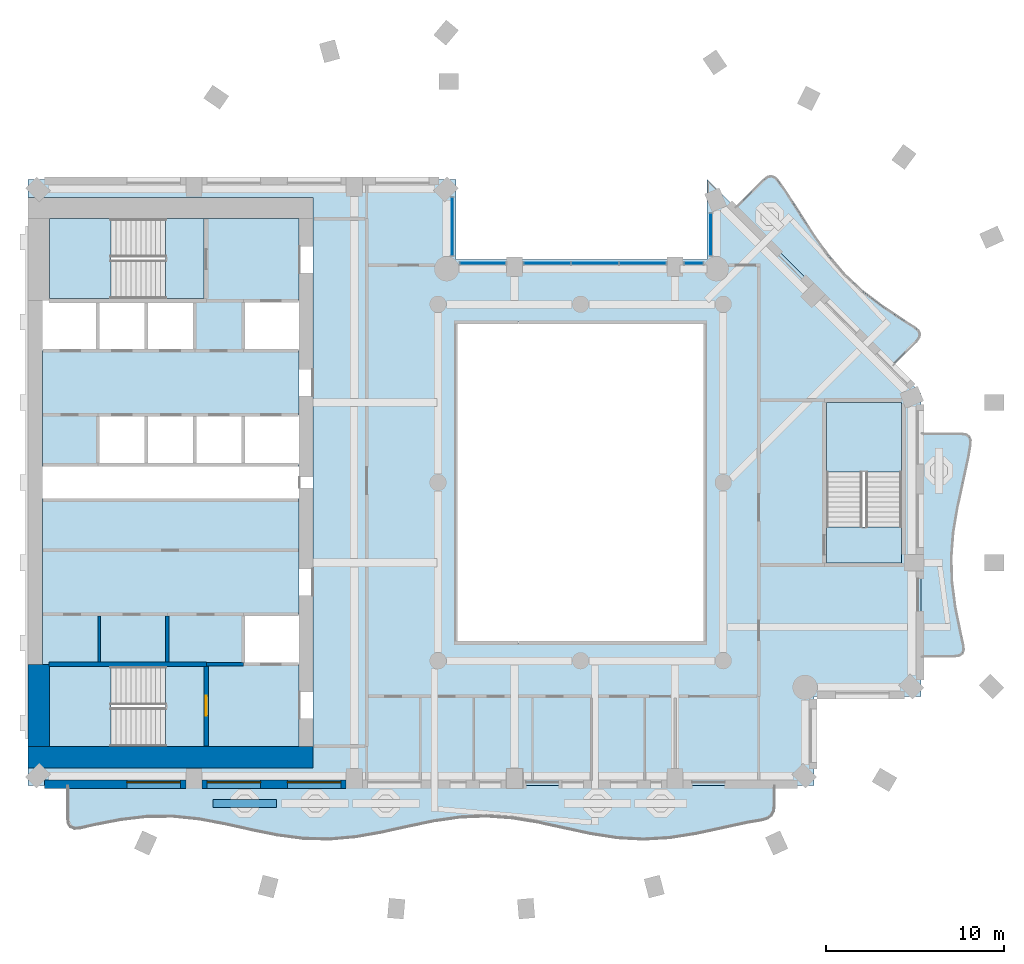
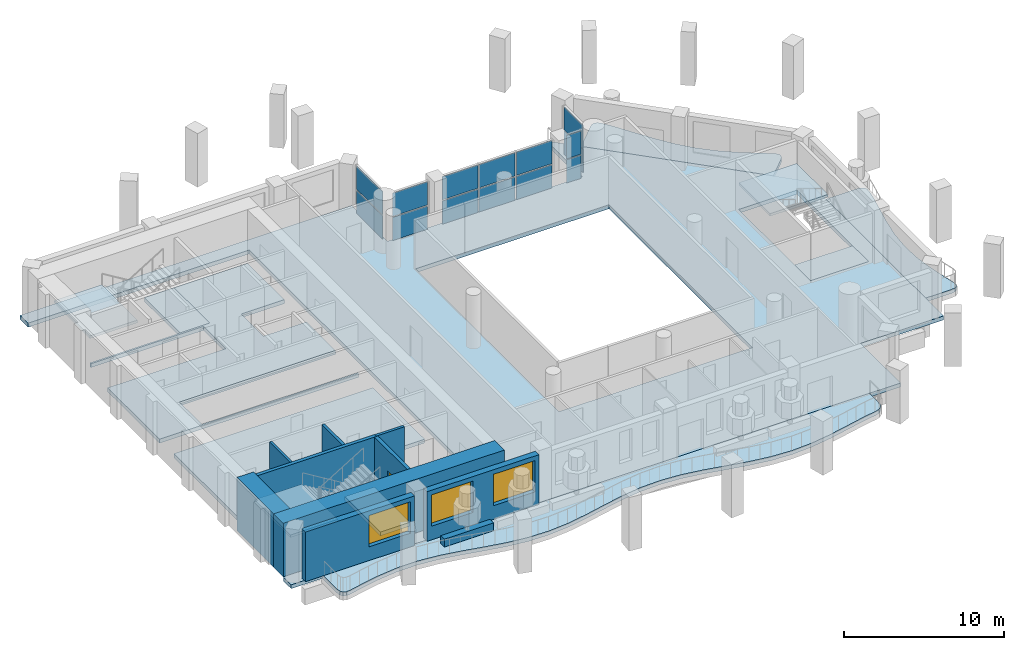
# One storey, part 3 of 15: 14 plates, 12 slabs, 10 walls, 3 windows, 1 door, 4 openings, 8 elements without a shape of their own.
"""IFC4 building model written with IfcOpenShell, lengths in metres."""

from ifc_helpers import new_model, si_unit, direction, frame, frame_2d, origin, origin_2d, place, context, subcontext, project, spatial, polyline, rectangle, outline, extrude, material, layer, layer_set, type_object, element, fill, aggregate, save


model = new_model("IFC4")

# Units and contexts
model_context = context("Model", 3, precision=1e-05, world=origin(), true_north=direction((0.0, 1.0)))
body_context = subcontext(model_context, "Body", "Model", "MODEL_VIEW")
ifc_project = project(units=[si_unit("LENGTHUNIT", "METRE"), si_unit("AREAUNIT", "SQUARE_METRE"), si_unit("VOLUMEUNIT", "CUBIC_METRE"), si_unit("PLANEANGLEUNIT", "RADIAN"), si_unit("MASSUNIT", "GRAM", prefix="KILO")], contexts=[model_context])

# Site, building, storey
site_placement = place(None, origin())
site = spatial("IfcSite", under=ifc_project, at=site_placement, CompositionType="ELEMENT")
building_placement = place(site_placement, origin())
building = spatial("IfcBuilding", under=site, at=building_placement, Name="Cypress Arch Tower", CompositionType="ELEMENT")
storey_placement = place(building_placement, frame((0.0, 0.0, 176.89990234375)))
storey = spatial("IfcBuildingStorey", under=building, at=storey_placement, Name="L38", CompositionType="ELEMENT", Elevation=176.89990234375)

# Slabs
ifc_material_1 = material(Name="Concrete C40/50", Category="concrete")
ifc_layer_1 = layer(ifc_material_1, 0.300048828125)
ifc_layer_set_1 = layer_set([ifc_layer_1], Name="Balcony slab BS300")
slab_type_1 = type_object("IfcSlabType", Name="Balcony slab BS300", PredefinedType="USERDEFINED", material=ifc_layer_set_1)
slab_1_placement = place(storey_placement, frame((0.0, 0.0, -0.2998046875)))
element("IfcSlab", 1, at=slab_1_placement, inside=storey, type_object=slab_type_1, Name="Balcony slab L38-B01", ObjectType="BALCONY SLAB", PredefinedType="USERDEFINED", context=body_context, shape_type="SweptSolid", body=[
    extrude(outline(polyline([(-27.75, -17.0), (-27.75, -18.83642578125), (-27.708740234375, -19.123046875), (-27.5849609375, -19.306640625), (-27.378662109375, -19.38720703125), (-27.090087890625, -19.36474609375), (-26.283447265625, -19.18359375), (-24.816650390625, -18.895751953125), (-23.35009765625, -18.722900390625), (-21.88330078125, -18.70947265625), (-20.416748046875, -18.859130859375), (-18.949951171875, -19.133056640625), (-17.4833984375, -19.461181640625), (-16.0166015625, -19.759521484375), (-14.550048828125, -19.951416015625), (-13.083251953125, -19.98779296875), (-11.61669921875, -19.859130859375), (-10.14990234375, -19.5986328125), (-8.683349609375, -19.27294921875), (-7.216552734375, -18.965576171875), (-5.75, -18.75537109375), (-4.283447265625, -18.696533203125), (-2.816650390625, -18.8037109375), (-1.35009765625, -19.049560546875), (0.11669921875, -19.37109375), (1.583251953125, -19.685791015625), (3.050048828125, -19.9130859375), (4.5166015625, -19.99462890625), (5.9833984375, -19.909423828125), (7.449951171875, -19.679443359375), (8.916748046875, -19.363525390625), (10.38330078125, -19.042724609375), (11.18994140625, -18.908935546875), (11.478759765625, -18.8193359375), (11.68505859375, -18.65966796875), (11.808837890625, -18.429931640625), (11.85009765625, -18.13037109375), (11.85009765625, -17.0), (-27.75, -17.0)])), origin(), (0.0, 0.0, 1.0), 0.2998046875),
])
slab_2_placement = place(storey_placement, frame((0.0, 0.0, -0.2998046875)))
element("IfcSlab", 2, at=slab_2_placement, inside=storey, type_object=slab_type_1, Name="Balcony slab L38-B04", ObjectType="BALCONY SLAB", PredefinedType="USERDEFINED", context=body_context, shape_type="SweptSolid", body=[
    extrude(outline(polyline([(20.10009765625, -9.75), (21.97216796875, -9.75), (22.24365234375, -9.7109375), (22.41748046875, -9.59375), (22.493896484375, -9.3984375), (22.472412109375, -9.125), (22.30078125, -8.361083984375), (22.02197265625, -6.97216796875), (21.840576171875, -5.583251953125), (21.79833984375, -4.1943359375), (21.905029296875, -2.8056640625), (22.135986328125, -1.416748046875), (22.438232421875, -0.02783203125), (22.741943359375, 1.361083984375), (22.871337890625, 2.125), (22.8779296875, 2.3984375), (22.7919921875, 2.59375), (22.61376953125, 2.7109375), (22.343017578125, 2.75), (20.10009765625, 2.75), (20.10009765625, -9.75)])), origin(), (0.0, 0.0, 1.0), 0.2998046875),
])
slab_3_placement = place(storey_placement, frame((0.0, 0.0, -0.2998046875)))
element("IfcSlab", 3, at=slab_3_placement, inside=storey, type_object=slab_type_1, Name="Balcony slab L38-B05", ObjectType="BALCONY SLAB", PredefinedType="USERDEFINED", context=body_context, shape_type="SweptSolid", body=[
    extrude(outline(polyline([(18.509033203125, 6.591064453125), (19.833984375, 7.916015625), (19.997802734375, 8.135009765625), (20.037841796875, 8.34033203125), (19.953857421875, 8.531982421875), (19.745849609375, 8.709716796875), (19.0859375, 9.12744140625), (17.9091796875, 9.910400390625), (16.801025390625, 10.76171875), (15.79052734375, 11.710693359375), (14.885009765625, 12.7646484375), (14.0673828125, 13.90673828125), (13.30029296875, 15.09912109375), (12.53515625, 16.293701171875), (12.08837890625, 16.924560546875), (11.900390625, 17.122314453125), (11.7021484375, 17.19970703125), (11.493896484375, 17.15673828125), (11.275390625, 16.993408203125), (9.69091796875, 15.408935546875), (18.509033203125, 6.591064453125)])), origin(), (0.0, 0.0, 1.0), 0.2998046875),
])
ifc_material_2 = material(Name="Concrete C40/50", Category="concrete")
ifc_layer_2 = layer(ifc_material_2, 0.300048828125)
ifc_layer_set_2 = layer_set([ifc_layer_2], Name="Core floor CF300")
slab_type_2 = type_object("IfcSlabType", Name="Core floor CF300", PredefinedType="FLOOR", material=ifc_layer_set_2)
slab_4_placement = place(storey_placement, frame((0.0, 0.0, -0.2998046875)))
element("IfcSlab", 4, at=slab_4_placement, inside=storey, type_object=slab_type_2, Name="Core floor", PredefinedType="FLOOR", context=body_context, shape_type="SweptSolid", body=[
    extrude(outline(polyline([(-28.800048828125, -10.199951171875), (-29.199951171875, -10.199951171875), (-29.199951171875, -0.89990234375), (-15.199951171875, -0.89990234375), (-14.800048828125, -0.89990234375), (-14.800048828125, -7.39990234375), (-15.199951171875, -7.39990234375), (-17.919921875, -7.39990234375), (-17.919921875, -10.199951171875), (-15.199951171875, -10.199951171875), (-14.800048828125, -10.199951171875), (-14.800048828125, -14.800048828125), (-15.199951171875, -14.800048828125), (-20.125, -14.800048828125), (-20.125, -10.324951171875), (-22.27490234375, -10.324951171875), (-28.800048828125, -10.324951171875), (-28.800048828125, -10.199951171875)])), origin(), (0.0, 0.0, 1.0), 0.2998046875),
])
slab_5_placement = place(storey_placement, frame((0.0, 0.0, -0.2998046875)))
element("IfcSlab", 5, at=slab_5_placement, inside=storey, type_object=slab_type_2, Name="Core floor", PredefinedType="FLOOR", context=body_context, shape_type="SweptSolid", body=[
    extrude(outline(polyline([(-22.27490234375, -10.324951171875), (-22.27490234375, -14.800048828125), (-20.125, -14.800048828125), (-20.125, -10.324951171875), (-22.27490234375, -10.324951171875)])), origin(), (0.0, 0.0, 1.0), 0.2998046875),
])
slab_6_placement = place(storey_placement, frame((0.0, 0.0, -0.2998046875)))
element("IfcSlab", 6, at=slab_6_placement, inside=storey, type_object=slab_type_2, Name="Core floor", PredefinedType="FLOOR", context=body_context, shape_type="SweptSolid", body=[
    extrude(outline(polyline([(-20.125, 14.800048828125), (-22.27490234375, 14.800048828125), (-22.27490234375, 10.324951171875), (-20.125, 10.324951171875), (-20.125, 14.800048828125)])), origin(), (0.0, 0.0, 1.0), 0.2998046875),
])
slab_7_placement = place(storey_placement, frame((0.0, 0.0, -0.2998046875)))
element("IfcSlab", 7, at=slab_7_placement, inside=storey, type_object=slab_type_2, Name="Stair floor landing", PredefinedType="FLOOR", context=body_context, shape_type="SweptSolid", body=[
    extrude(outline(polyline([(19.0, -4.5), (19.0, -2.5), (14.800048828125, -2.5), (14.800048828125, -4.5), (19.0, -4.5)])), origin(), (0.0, 0.0, 1.0), 0.2998046875),
])
slab_8_placement = place(storey_placement, frame((0.0, 0.0, -0.2998046875)))
element("IfcSlab", 8, at=slab_8_placement, inside=storey, type_object=slab_type_2, Name="Core floor", PredefinedType="FLOOR", context=body_context, shape_type="SweptSolid", body=[
    extrude(outline(polyline([(-20.639892578125, 7.39990234375), (-20.639892578125, 10.199951171875), (-23.360107421875, 10.199951171875), (-26.080078125, 10.199951171875), (-28.800048828125, 10.199951171875), (-28.800048828125, 10.324951171875), (-22.27490234375, 10.324951171875), (-20.125, 10.324951171875), (-20.125, 14.800048828125), (-15.199951171875, 14.800048828125), (-14.800048828125, 14.800048828125), (-14.800048828125, 10.199951171875), (-15.199951171875, 10.199951171875), (-17.919921875, 10.199951171875), (-17.919921875, 7.39990234375), (-15.199951171875, 7.39990234375), (-14.800048828125, 7.39990234375), (-14.800048828125, 3.800048828125), (-15.199951171875, 3.800048828125), (-17.919921875, 3.800048828125), (-20.639892578125, 3.800048828125), (-23.360107421875, 3.800048828125), (-26.080078125, 3.800048828125), (-26.080078125, 1.5), (-26.080078125, 1.5), (-26.080078125, 1.0), (-25.679931640625, 1.0), (-23.360107421875, 1.0), (-20.639892578125, 1.0), (-17.919921875, 1.0), (-15.199951171875, 1.0), (-14.800048828125, 1.0), (-14.800048828125, 0.89990234375), (-15.199951171875, 0.89990234375), (-25.679931640625, 0.89990234375), (-26.47998046875, 0.89990234375), (-29.199951171875, 0.89990234375), (-29.199951171875, 1.5), (-29.199951171875, 7.39990234375), (-26.080078125, 7.39990234375), (-23.360107421875, 7.39990234375), (-20.639892578125, 7.39990234375)])), origin(), (0.0, 0.0, 1.0), 0.2998046875),
])

# Curtain wall, plates
ifc_material_3 = material(Name="Anodised aluminium, bronze finish, clear laminated double glazing", Category="aluminium")
curtain_wall_type = type_object("IfcCurtainWallType", Name="Curtain wall CW7 slot glazing", PredefinedType="NOTDEFINED", material=ifc_material_3)
curtain_wall_1_placement = place(storey_placement, origin())
curtain_wall_1 = element("IfcCurtainWall", 9, at=curtain_wall_1_placement, inside=storey, type_object=curtain_wall_type, Name="Curtain wall L38 slot B06.0", PredefinedType="NOTDEFINED")
ifc_material_4 = material(Name="Clear laminated double glazing", Category="glass")
ifc_layer_3 = layer(ifc_material_4, 0.0439453125)
ifc_layer_set_3 = layer_set([ifc_layer_3], Name="Glass panel CW7 44")
plate_type = type_object("IfcPlateType", Name="Glass panel CW7 44", PredefinedType="CURTAIN_PANEL", material=ifc_layer_set_3)
plate_1_placement = place(storey_placement, frame((8.300048828125, 13.912353515625, 0.085205078125), z_axis=(0.0, 0.0, 1.0), x_axis=(0.0, -1.0, 0.0)))
plate_1 = element("IfcPlate", 10, at=plate_1_placement, type_object=plate_type, Name="CW7 panel 1.1", PredefinedType="CURTAIN_PANEL", context=body_context, shape_type="SweptSolid", body=[
    extrude(rectangle(XDim=2.345458984375, YDim=0.0439453125, at=origin_2d()), origin(), (0.0, 0.0, 1.0), 1.7724609375),
])
plate_2_placement = place(storey_placement, frame((8.300048828125, 13.912353515625, 1.942626953125), z_axis=(0.0, 0.0, 1.0), x_axis=(0.0, -1.0, 0.0)))
plate_2 = element("IfcPlate", 11, at=plate_2_placement, type_object=plate_type, Name="CW7 panel 1.2", PredefinedType="CURTAIN_PANEL", context=body_context, shape_type="SweptSolid", body=[
    extrude(rectangle(XDim=2.345458984375, YDim=0.0439453125, at=origin_2d()), origin(), (0.0, 0.0, 1.0), 1.7724609375),
])
aggregate(curtain_wall_1, [plate_1, plate_2])

curtain_wall_2_placement = place(storey_placement, origin())
curtain_wall_2 = element("IfcCurtainWall", 12, at=curtain_wall_2_placement, inside=storey, type_object=curtain_wall_type, Name="Curtain wall L38 slot B07.0", PredefinedType="NOTDEFINED")
plate_3_placement = place(storey_placement, frame((7.34765625, 12.300048828125, 0.085205078125), z_axis=(0.0, 0.0, 1.0), x_axis=(-1.0, 0.0, 0.0)))
plate_3 = element("IfcPlate", 13, at=plate_3_placement, type_object=plate_type, Name="CW7 panel 1.1", PredefinedType="CURTAIN_PANEL", context=body_context, shape_type="SweptSolid", body=[
    extrude(rectangle(XDim=1.025390625, YDim=0.0439453125, at=origin_2d()), origin(), (0.0, 0.0, 1.0), 1.7724609375),
])
plate_4_placement = place(storey_placement, frame((7.34765625, 12.300048828125, 1.942626953125), z_axis=(0.0, 0.0, 1.0), x_axis=(-1.0, 0.0, 0.0)))
plate_4 = element("IfcPlate", 14, at=plate_4_placement, type_object=plate_type, Name="CW7 panel 1.2", PredefinedType="CURTAIN_PANEL", context=body_context, shape_type="SweptSolid", body=[
    extrude(rectangle(XDim=1.025390625, YDim=0.0439453125, at=origin_2d()), origin(), (0.0, 0.0, 1.0), 1.7724609375),
])
aggregate(curtain_wall_2, [plate_3, plate_4])

curtain_wall_3_placement = place(storey_placement, origin())
curtain_wall_3 = element("IfcCurtainWall", 15, at=curtain_wall_3_placement, inside=storey, type_object=curtain_wall_type, Name="Curtain wall L38 slot B07.1", PredefinedType="NOTDEFINED")
plate_5_placement = place(storey_placement, frame((4.478759765625, 12.300048828125, 0.085205078125), z_axis=(0.0, 0.0, 1.0), x_axis=(-1.0, 0.0, 0.0)))
plate_5 = element("IfcPlate", 16, at=plate_5_placement, type_object=plate_type, Name="CW7 panel 1.1", PredefinedType="CURTAIN_PANEL", context=body_context, shape_type="SweptSolid", body=[
    extrude(rectangle(XDim=2.572509765625, YDim=0.0439453125, at=origin_2d()), origin(), (0.0, 0.0, 1.0), 1.7724609375),
])
plate_6_placement = place(storey_placement, frame((4.478759765625, 12.300048828125, 1.942626953125), z_axis=(0.0, 0.0, 1.0), x_axis=(-1.0, 0.0, 0.0)))
plate_6 = element("IfcPlate", 17, at=plate_6_placement, type_object=plate_type, Name="CW7 panel 1.2", PredefinedType="CURTAIN_PANEL", context=body_context, shape_type="SweptSolid", body=[
    extrude(rectangle(XDim=2.572509765625, YDim=0.0439453125, at=origin_2d()), origin(), (0.0, 0.0, 1.0), 1.7724609375),
])
plate_7_placement = place(storey_placement, frame((1.800048828125, 12.300048828125, 0.085205078125), z_axis=(0.0, 0.0, 1.0), x_axis=(-1.0, 0.0, 0.0)))
plate_7 = element("IfcPlate", 18, at=plate_7_placement, type_object=plate_type, Name="CW7 panel 2.1", PredefinedType="CURTAIN_PANEL", context=body_context, shape_type="SweptSolid", body=[
    extrude(rectangle(XDim=2.614990234375, YDim=0.0439453125, at=origin_2d()), origin(), (0.0, 0.0, 1.0), 1.7724609375),
])
plate_8_placement = place(storey_placement, frame((1.800048828125, 12.300048828125, 1.942626953125), z_axis=(0.0, 0.0, 1.0), x_axis=(-1.0, 0.0, 0.0)))
plate_8 = element("IfcPlate", 19, at=plate_8_placement, type_object=plate_type, Name="CW7 panel 2.2", PredefinedType="CURTAIN_PANEL", context=body_context, shape_type="SweptSolid", body=[
    extrude(rectangle(XDim=2.614990234375, YDim=0.0439453125, at=origin_2d()), origin(), (0.0, 0.0, 1.0), 1.7724609375),
])
plate_9_placement = place(storey_placement, frame((-0.878662109375, 12.300048828125, 0.085205078125), z_axis=(0.0, 0.0, 1.0), x_axis=(-1.0, 0.0, 0.0)))
plate_9 = element("IfcPlate", 20, at=plate_9_placement, type_object=plate_type, Name="CW7 panel 3.1", PredefinedType="CURTAIN_PANEL", context=body_context, shape_type="SweptSolid", body=[
    extrude(rectangle(XDim=2.572509765625, YDim=0.0439453125, at=origin_2d()), origin(), (0.0, 0.0, 1.0), 1.7724609375),
])
plate_10_placement = place(storey_placement, frame((-0.878662109375, 12.300048828125, 1.942626953125), z_axis=(0.0, 0.0, 1.0), x_axis=(-1.0, 0.0, 0.0)))
plate_10 = element("IfcPlate", 21, at=plate_10_placement, type_object=plate_type, Name="CW7 panel 3.2", PredefinedType="CURTAIN_PANEL", context=body_context, shape_type="SweptSolid", body=[
    extrude(rectangle(XDim=2.572509765625, YDim=0.0439453125, at=origin_2d()), origin(), (0.0, 0.0, 1.0), 1.7724609375),
])
aggregate(curtain_wall_3, [plate_5, plate_6, plate_7, plate_8, plate_9, plate_10])

curtain_wall_4_placement = place(storey_placement, origin())
curtain_wall_4 = element("IfcCurtainWall", 22, at=curtain_wall_4_placement, inside=storey, type_object=curtain_wall_type, Name="Curtain wall L38 slot B07.2", PredefinedType="NOTDEFINED")
plate_11_placement = place(storey_placement, frame((-4.497802734375, 12.300048828125, 0.085205078125), z_axis=(0.0, 0.0, 1.0), x_axis=(-1.0, 0.0, 0.0)))
plate_11 = element("IfcPlate", 23, at=plate_11_placement, type_object=plate_type, Name="CW7 panel 1.1", PredefinedType="CURTAIN_PANEL", context=body_context, shape_type="SweptSolid", body=[
    extrude(rectangle(XDim=2.525390625, YDim=0.0439453125, at=origin_2d()), origin(), (0.0, 0.0, 1.0), 1.7724609375),
])
plate_12_placement = place(storey_placement, frame((-4.497802734375, 12.300048828125, 1.942626953125), z_axis=(0.0, 0.0, 1.0), x_axis=(-1.0, 0.0, 0.0)))
plate_12 = element("IfcPlate", 24, at=plate_12_placement, type_object=plate_type, Name="CW7 panel 1.2", PredefinedType="CURTAIN_PANEL", context=body_context, shape_type="SweptSolid", body=[
    extrude(rectangle(XDim=2.525390625, YDim=0.0439453125, at=origin_2d()), origin(), (0.0, 0.0, 1.0), 1.7724609375),
])
aggregate(curtain_wall_4, [plate_11, plate_12])

curtain_wall_5_placement = place(storey_placement, origin())
curtain_wall_5 = element("IfcCurtainWall", 25, at=curtain_wall_5_placement, inside=storey, type_object=curtain_wall_type, Name="Curtain wall L38 slot B08.0", PredefinedType="NOTDEFINED")
plate_13_placement = place(storey_placement, frame((-6.199951171875, 14.359130859375, 0.085205078125), z_axis=(0.0, 0.0, 1.0), x_axis=(0.0, 1.0, 0.0)))
plate_13 = element("IfcPlate", 26, at=plate_13_placement, type_object=plate_type, Name="CW7 panel 1.1", PredefinedType="CURTAIN_PANEL", context=body_context, shape_type="SweptSolid", body=[
    extrude(rectangle(XDim=3.239013671875, YDim=0.0439453125, at=origin_2d()), origin(), (0.0, 0.0, 1.0), 1.7724609375),
])
plate_14_placement = place(storey_placement, frame((-6.199951171875, 14.359130859375, 1.942626953125), z_axis=(0.0, 0.0, 1.0), x_axis=(0.0, 1.0, 0.0)))
plate_14 = element("IfcPlate", 27, at=plate_14_placement, type_object=plate_type, Name="CW7 panel 1.2", PredefinedType="CURTAIN_PANEL", context=body_context, shape_type="SweptSolid", body=[
    extrude(rectangle(XDim=3.239013671875, YDim=0.0439453125, at=origin_2d()), origin(), (0.0, 0.0, 1.0), 1.7724609375),
])
aggregate(curtain_wall_5, [plate_13, plate_14])

# Slab
ifc_material_5 = material(Name="Concrete C40/50", Category="concrete")
ifc_layer_4 = layer(ifc_material_5, 0.300048828125)
ifc_layer_set_4 = layer_set([ifc_layer_4], Name="PT flat slab 300 Concrete C40/50")
slab_type_3 = type_object("IfcSlabType", Name="PT flat slab 300 Concrete C40/50", PredefinedType="FLOOR", material=ifc_layer_set_4)
slab_9_placement = place(storey_placement, frame((0.0, 0.0, -0.2998046875)))
element("IfcSlab", 28, at=slab_9_placement, inside=storey, type_object=slab_type_3, Name="Floor slab L38", PredefinedType="FLOOR", context=body_context, shape_type="SweptSolid", body=[
    extrude(outline(polyline([(-30.0, 17.0), (-6.0, 17.0), (-6.0, 12.5), (8.10009765625, 12.5), (8.10009765625, 17.0), (20.10009765625, 5.0), (20.10009765625, -12.0), (14.10009765625, -12.0), (14.10009765625, -17.0), (-30.0, -17.0), (-30.0, -16.0), (-14.0, -16.0), (-14.0, 16.0), (-30.0, 16.0), (-30.0, 17.0)]), holes=[polyline([(-6.0, -9.0), (8.0, -9.0), (8.0, 9.0), (-6.0, 9.0), (-6.0, -9.0)]), polyline([(14.800048828125, -4.5), (19.0, -4.5), (19.0, 4.5), (14.800048828125, 4.5), (14.800048828125, -4.5)])]), origin(), (0.0, 0.0, 1.0), 0.2998046875),
])

# Stair, slab
ifc_material_6 = material(Name="Concrete C40/50", Category="concrete")
stair_type_1 = type_object("IfcStairType", Name="Exit stair ES1708-215", PredefinedType="HALF_TURN_STAIR", material=ifc_material_6)
stair_1_placement = place(storey_placement, origin())
stair_1 = element("IfcStair", 29, at=stair_1_placement, inside=storey, type_object=stair_type_1, Name="L38 Exit stair A", PredefinedType="HALF_TURN_STAIR")
ifc_material_7 = material(Name="Concrete C40/50", Category="concrete")
ifc_layer_5 = layer(ifc_material_7, 0.199951171875)
ifc_layer_set_5 = layer_set([ifc_layer_5], Name="Stair landing SL200")
slab_type_4 = type_object("IfcSlabType", Name="Stair landing SL200", PredefinedType="LANDING", material=ifc_layer_set_5)
slab_10_placement = place(storey_placement, frame((0.0, 0.0, 1.85009765625)))
slab_10 = element("IfcSlab", 30, at=slab_10_placement, type_object=slab_type_4, Name="A landing 1", PredefinedType="LANDING", context=body_context, shape_type="SweptSolid", body=[
    extrude(outline(polyline([(-25.35498046875, -10.324951171875), (-28.800048828125, -10.324951171875), (-28.800048828125, -14.800048828125), (-25.35498046875, -14.800048828125), (-25.35498046875, -10.324951171875)])), origin(), (0.0, 0.0, 1.0), 0.199951171875),
])
aggregate(stair_1, [slab_10])

stair_2_placement = place(storey_placement, origin())
stair_2 = element("IfcStair", 31, at=stair_2_placement, inside=storey, type_object=stair_type_1, Name="L38 Exit stair B", PredefinedType="HALF_TURN_STAIR")
slab_11_placement = place(storey_placement, frame((0.0, 0.0, 1.85009765625)))
slab_11 = element("IfcSlab", 32, at=slab_11_placement, type_object=slab_type_4, Name="B landing 1", PredefinedType="LANDING", context=body_context, shape_type="SweptSolid", body=[
    extrude(outline(polyline([(-25.35498046875, 14.800048828125), (-28.800048828125, 14.800048828125), (-28.800048828125, 10.324951171875), (-25.35498046875, 10.324951171875), (-25.35498046875, 14.800048828125)])), origin(), (0.0, 0.0, 1.0), 0.199951171875),
])
aggregate(stair_2, [slab_11])

ifc_material_8 = material(Name="Concrete C40/50", Category="concrete")
stair_type_2 = type_object("IfcStairType", Name="Exit stair ES1708-200", PredefinedType="HALF_TURN_STAIR", material=ifc_material_8)
stair_3_placement = place(storey_placement, origin())
stair_3 = element("IfcStair", 33, at=stair_3_placement, inside=storey, type_object=stair_type_2, Name="L38 Exit stair C", PredefinedType="HALF_TURN_STAIR")
slab_12_placement = place(storey_placement, frame((0.0, 0.0, 1.85009765625)))
slab_12 = element("IfcSlab", 34, at=slab_12_placement, type_object=slab_type_4, Name="C landing 1", PredefinedType="LANDING", context=body_context, shape_type="SweptSolid", body=[
    extrude(outline(polyline([(19.0, 0.580078125), (19.0, 4.5), (14.800048828125, 4.5), (14.800048828125, 0.580078125), (19.0, 0.580078125)])), origin(), (0.0, 0.0, 1.0), 0.199951171875),
])
aggregate(stair_3, [slab_12])

# Wall
ifc_material_9 = material(Name="Concrete C40/50, waterproofed", Category="concrete")
ifc_layer_6 = layer(ifc_material_9, 0.449951171875)
ifc_layer_set_6 = layer_set([ifc_layer_6], Name="Balcony planter wall PW450")
wall_type_1 = type_object("IfcWallType", Name="Balcony planter wall PW450", PredefinedType="SOLIDWALL", material=ifc_layer_set_6)
wall_1_placement = place(storey_placement, frame((-19.6298828125, -18.0, 0.0), z_axis=(0.0, 0.0, 1.0), x_axis=(1.0, 0.0, 0.0)))
element("IfcWall", 35, at=wall_1_placement, inside=storey, type_object=wall_type_1, Name="Balcony planter wall L38-B01.1", PredefinedType="SOLIDWALL", context=body_context, shape_type="SweptSolid", body=[
    extrude(rectangle(XDim=3.559814453125, YDim=0.449951171875, at=frame_2d((1.77978515625, 0.0))), origin(), (0.0, 0.0, 1.0), 0.60009765625),
])

# Wall, opening, window
ifc_material_10 = material(Name="Brick (red buff blend)", Category="masonry")
ifc_layer_7 = layer(ifc_material_10, 0.449951171875)
ifc_layer_set_7 = layer_set([ifc_layer_7], Name="Brick pier and spandrel wall BW450")
wall_type_2 = type_object("IfcWallType", Name="Brick pier and spandrel wall BW450", PredefinedType="SOLIDWALL", material=ifc_layer_set_7)
wall_2_placement = place(storey_placement, frame((-29.063720703125, -16.925048828125, 0.0), z_axis=(0.0, 0.0, 1.0), x_axis=(1.0, 0.0, 0.0)))
wall_2 = element("IfcWall", 36, at=wall_2_placement, inside=storey, type_object=wall_type_2, Name="Brick wall L38 B01.0", PredefinedType="SOLIDWALL", context=body_context, shape_type="SweptSolid", body=[
    extrude(rectangle(XDim=7.913818359375, YDim=0.449951171875, at=frame_2d((3.95703125, 0.0))), origin(), (0.0, 0.0, 1.0), 3.800048828125),
])
opening_1_placement = place(wall_2_placement, frame((4.613525390625, 0.0, 1.050048828125)))
opening_1 = element("IfcOpeningElement", 37, at=opening_1_placement, cuts=wall_2, Name="Opening W300OD", PredefinedType="OPENING", context=body_context, shape_type="SweptSolid", body=[
    extrude(rectangle(XDim=3.0, YDim=2.39990234375, at=frame_2d((1.5, 1.199951171875))), frame((0.0, 0.23486328125, 0.0), z_axis=(0.0, -1.0, 0.0), x_axis=(1.0, 0.0, 0.0)), (0.0, 0.0, 1.0), 0.469970703125),
])
ifc_material_11 = material(Name="Anodised aluminium, bronze finish, laminated low-emissivity double glazing, large-missile impact rated", Category="aluminium")
window_type = type_object("IfcWindowType", Name="Window Office 3000x2400 debris-rated", PartitioningType="SINGLE_PANEL", PredefinedType="WINDOW", material=ifc_material_11)
window_1_placement = place(opening_1_placement, origin())
window_1 = element("IfcWindow", 38, at=window_1_placement, inside=storey, type_object=window_type, Name="Window L38 B01.0.2", OverallHeight=2.39990234375, OverallWidth=3.0, PartitioningType="SINGLE_PANEL", PredefinedType="WINDOW", context=body_context, shape_type="SweptSolid", body=[
    extrude(rectangle(XDim=3.0, YDim=2.39990234375, at=frame_2d((1.5, 1.199951171875))), frame((0.0, 0.135009765625, 0.0), z_axis=(0.0, -1.0, 0.0), x_axis=(1.0, 0.0, 0.0)), (0.0, 0.0, 1.0), 0.06005859375),
])
fill(opening_1, window_1)

# Wall, openings, windows
wall_3_placement = place(storey_placement, frame((-20.25, -16.925048828125, 0.0), z_axis=(0.0, 0.0, 1.0), x_axis=(1.0, 0.0, 0.0)))
wall_3 = element("IfcWall", 39, at=wall_3_placement, inside=storey, type_object=wall_type_2, Name="Brick wall L38 B01.1", PredefinedType="SOLIDWALL", context=body_context, shape_type="SweptSolid", body=[
    extrude(rectangle(XDim=8.10009765625, YDim=0.449951171875, at=frame_2d((4.050048828125, 0.0))), origin(), (0.0, 0.0, 1.0), 3.800048828125),
])
opening_2_placement = place(wall_3_placement, frame((0.300048828125, 0.0, 1.050048828125)))
opening_2 = element("IfcOpeningElement", 40, at=opening_2_placement, cuts=wall_3, Name="Opening W300OD", PredefinedType="OPENING", context=body_context, shape_type="SweptSolid", body=[
    extrude(rectangle(XDim=3.0, YDim=2.39990234375, at=frame_2d((1.5, 1.199951171875))), frame((0.0, 0.23486328125, 0.0), z_axis=(0.0, -1.0, 0.0), x_axis=(1.0, 0.0, 0.0)), (0.0, 0.0, 1.0), 0.469970703125),
])
opening_3_placement = place(wall_3_placement, frame((4.800048828125, 0.0, 1.050048828125)))
opening_3 = element("IfcOpeningElement", 41, at=opening_3_placement, cuts=wall_3, Name="Opening W300OD", PredefinedType="OPENING", context=body_context, shape_type="SweptSolid", body=[
    extrude(rectangle(XDim=3.0, YDim=2.39990234375, at=frame_2d((1.5, 1.199951171875))), frame((0.0, 0.23486328125, 0.0), z_axis=(0.0, -1.0, 0.0), x_axis=(1.0, 0.0, 0.0)), (0.0, 0.0, 1.0), 0.469970703125),
])
window_2_placement = place(opening_2_placement, origin())
window_2 = element("IfcWindow", 42, at=window_2_placement, inside=storey, type_object=window_type, Name="Window L38 B01.1.1", OverallHeight=2.39990234375, OverallWidth=3.0, PartitioningType="SINGLE_PANEL", PredefinedType="WINDOW", context=body_context, shape_type="SweptSolid", body=[
    extrude(rectangle(XDim=3.0, YDim=2.39990234375, at=frame_2d((1.5, 1.199951171875))), frame((0.0, 0.135009765625, 0.0), z_axis=(0.0, -1.0, 0.0), x_axis=(1.0, 0.0, 0.0)), (0.0, 0.0, 1.0), 0.06005859375),
])
fill(opening_2, window_2)
window_3_placement = place(opening_3_placement, origin())
window_3 = element("IfcWindow", 43, at=window_3_placement, inside=storey, type_object=window_type, Name="Window L38 B01.1.2", OverallHeight=2.39990234375, OverallWidth=3.0, PartitioningType="SINGLE_PANEL", PredefinedType="WINDOW", context=body_context, shape_type="SweptSolid", body=[
    extrude(rectangle(XDim=3.0, YDim=2.39990234375, at=frame_2d((1.5, 1.199951171875))), frame((0.0, 0.135009765625, 0.0), z_axis=(0.0, -1.0, 0.0), x_axis=(1.0, 0.0, 0.0)), (0.0, 0.0, 1.0), 0.06005859375),
])
fill(opening_3, window_3)

# Walls
ifc_material_12 = material(Name="Concrete C70/85", Category="concrete")
ifc_layer_8 = layer(ifc_material_12, 1.199951171875)
ifc_layer_set_8 = layer_set([ifc_layer_8], Name="Core wall CW1200 C70/85")
wall_type_3 = type_object("IfcWallType", Name="Core wall CW1200 C70/85", PredefinedType="SHEAR", material=ifc_layer_set_8)
wall_4_placement = place(storey_placement, frame((-30.0, -15.39990234375, 0.0), z_axis=(0.0, 0.0, 1.0), x_axis=(1.0, 0.0, 0.0)))
element("IfcWall", 44, at=wall_4_placement, inside=storey, type_object=wall_type_3, Name="Core wall", PredefinedType="SHEAR", context=body_context, shape_type="SweptSolid", body=[
    extrude(rectangle(XDim=16.0, YDim=1.199951171875, at=frame_2d((8.0, 0.0))), origin(), (0.0, 0.0, 1.0), 4.10009765625),
])
wall_5_placement = place(storey_placement, frame((-29.39990234375, -14.800048828125, 0.0), z_axis=(0.0, 0.0, 1.0), x_axis=(0.0, 1.0, 0.0)))
element("IfcWall", 45, at=wall_5_placement, inside=storey, type_object=wall_type_3, Name="Core wall", PredefinedType="SHEAR", context=body_context, shape_type="SweptSolid", body=[
    extrude(rectangle(XDim=4.60009765625, YDim=1.199951171875, at=frame_2d((2.300048828125, 0.0))), origin(), (0.0, 0.0, 1.0), 4.10009765625),
])
ifc_material_13 = material(Name="Blockwork, plastered both sides", Category="masonry")
ifc_layer_9 = layer(ifc_material_13, 0.14990234375)
ifc_layer_set_9 = layer_set([ifc_layer_9], Name="Partition PW150")
wall_type_4 = type_object("IfcWallType", Name="Partition PW150", PredefinedType="PARTITIONING", material=ifc_layer_set_9)
wall_6_placement = place(storey_placement, frame((-26.0, -10.074951171875, 0.0), z_axis=(0.0, 0.0, 1.0), x_axis=(0.0, 1.0, 0.0)))
element("IfcWall", 46, at=wall_6_placement, inside=storey, type_object=wall_type_4, Name="Partition", PredefinedType="PARTITIONING", context=body_context, shape_type="SweptSolid", body=[
    extrude(rectangle(XDim=2.574951171875, YDim=0.14990234375, at=frame_2d((1.28759765625, 0.0))), origin(), (0.0, 0.0, 1.0), 3.800048828125),
])
ifc_material_14 = material(Name="Reinforced blockwork, plastered, rated", Category="masonry")
ifc_layer_10 = layer(ifc_material_14, 0.199951171875)
ifc_layer_set_10 = layer_set([ifc_layer_10], Name="Plant and riser wall PL200")
wall_type_5 = type_object("IfcWallType", Name="Plant and riser wall PL200", PredefinedType="PARTITIONING", material=ifc_layer_set_10)
wall_7_placement = place(storey_placement, frame((-22.199951171875, -10.074951171875, 0.0), z_axis=(0.0, 0.0, 1.0), x_axis=(0.0, 1.0, 0.0)))
element("IfcWall", 47, at=wall_7_placement, inside=storey, type_object=wall_type_5, Name="Plant and riser wall", PredefinedType="PARTITIONING", context=body_context, shape_type="SweptSolid", body=[
    extrude(rectangle(XDim=2.574951171875, YDim=0.199951171875, at=frame_2d((1.28759765625, 0.0))), origin(), (0.0, 0.0, 1.0), 3.800048828125),
])
wall_8_placement = place(storey_placement, frame((-20.0, -10.199951171875, 0.0), z_axis=(0.0, 0.0, 1.0), x_axis=(1.0, 0.0, 0.0)))
element("IfcWall", 48, at=wall_8_placement, inside=storey, type_object=wall_type_5, Name="Plant and riser wall", PredefinedType="PARTITIONING", context=body_context, shape_type="SweptSolid", body=[
    extrude(rectangle(XDim=2.080078125, YDim=0.199951171875, at=frame_2d((1.0400390625, 0.0))), origin(), (0.0, 0.0, 1.0), 3.800048828125),
])
ifc_material_15 = material(Name="Concrete C50/60", Category="concrete")
ifc_layer_11 = layer(ifc_material_15, 0.25)
ifc_layer_set_11 = layer_set([ifc_layer_11], Name="Stair enclosure wall SW250")
wall_type_6 = type_object("IfcWallType", Name="Stair enclosure wall SW250", PredefinedType="SHEAR", material=ifc_layer_set_11)
wall_9_placement = place(storey_placement, frame((-28.81005859375, -10.199951171875, 0.0), z_axis=(0.0, 0.0, 1.0), x_axis=(1.0, 0.0, 0.0)))
element("IfcWall", 49, at=wall_9_placement, inside=storey, type_object=wall_type_6, Name="Stair enclosure wall", PredefinedType="SHEAR", context=body_context, shape_type="SweptSolid", body=[
    extrude(rectangle(XDim=8.81005859375, YDim=0.25, at=frame_2d((4.405029296875, 0.0))), origin(), (0.0, 0.0, 1.0), 3.800048828125),
])

# Wall, opening, door
wall_10_placement = place(storey_placement, frame((-20.0, -14.77001953125, 0.0), z_axis=(0.0, 0.0, 1.0), x_axis=(0.0, 1.0, 0.0)))
wall_10 = element("IfcWall", 50, at=wall_10_placement, inside=storey, type_object=wall_type_6, Name="Stair enclosure wall", PredefinedType="SHEAR", context=body_context, shape_type="SweptSolid", body=[
    extrude(rectangle(XDim=4.445068359375, YDim=0.25, at=frame_2d((2.22265625, 0.0))), origin(), (0.0, 0.0, 1.0), 3.800048828125),
])
opening_4_placement = place(wall_10_placement, frame((1.699951171875, 0.0, 0.0)))
opening_4 = element("IfcOpeningElement", 51, at=opening_4_placement, cuts=wall_10, Name="Opening D06", PredefinedType="OPENING", context=body_context, shape_type="SweptSolid", body=[
    extrude(rectangle(XDim=1.10009765625, YDim=2.199951171875, at=frame_2d((0.550048828125, 1.10009765625))), frame((0.0, 0.135009765625, 0.0), z_axis=(0.0, -1.0, 0.0), x_axis=(1.0, 0.0, 0.0)), (0.0, 0.0, 1.0), 0.27001953125),
])
ifc_material_16 = material(Name="Steel door, fire resisting, panic bar", Category="steel")
door_type = type_object("IfcDoorType", Name="Stair door D06 1100x2200", OperationType="SINGLE_SWING_LEFT", PredefinedType="DOOR", material=ifc_material_16)
door_placement = place(opening_4_placement, origin())
door = element("IfcDoor", 52, at=door_placement, inside=storey, type_object=door_type, Name="Stair door", OperationType="SINGLE_SWING_RIGHT", OverallHeight=2.199951171875, OverallWidth=1.10009765625, PredefinedType="DOOR", context=body_context, shape_type="SweptSolid", body=[
    extrude(rectangle(XDim=1.10009765625, YDim=2.199951171875, at=frame_2d((0.550048828125, 1.10009765625))), frame((0.0, 0.02490234375, 0.0), z_axis=(0.0, -1.0, 0.0), x_axis=(1.0, 0.0, 0.0)), (0.0, 0.0, 1.0), 0.050048828125),
])
fill(opening_4, door)

save(model, "model.ifc")
